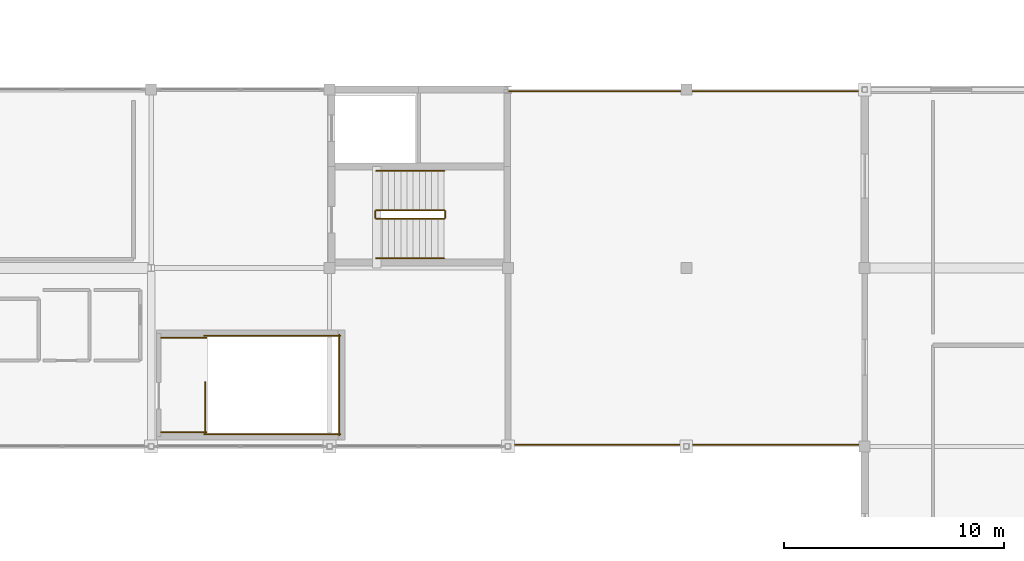
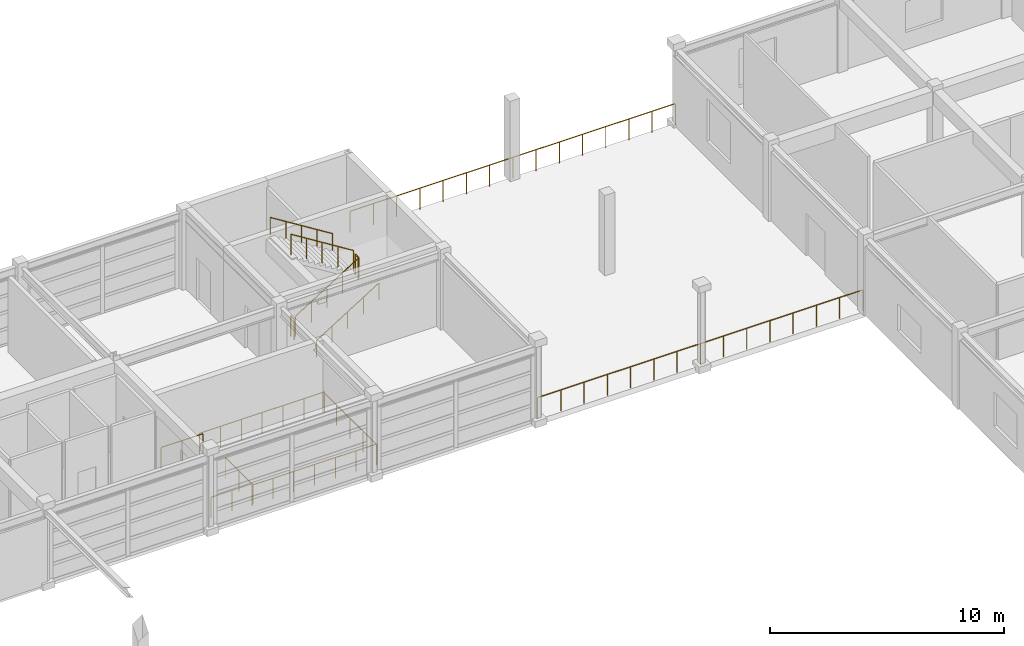
# One storey, part 53 of 54: 14 railings.
"""IFC4 building model written with IfcOpenShell, lengths in metres."""

from ifc_helpers import new_model, si_unit, direction, frame, origin, origin_2d, place, context, subcontext, project, spatial, circle, extrude, material, type_object, element, save


model = new_model("IFC4")

# Units and contexts
model_context = context("Model", 3, precision=1e-05, world=origin(), true_north=direction((0.0, 1.0)))
body_context = subcontext(model_context, "Body", "Model", "MODEL_VIEW")
ifc_project = project(units=[si_unit("LENGTHUNIT", "METRE"), si_unit("AREAUNIT", "SQUARE_METRE"), si_unit("VOLUMEUNIT", "CUBIC_METRE"), si_unit("PLANEANGLEUNIT", "RADIAN"), si_unit("MASSUNIT", "GRAM", prefix="KILO")], contexts=[model_context])

# Site, building, storey
site_placement = place(None, origin())
site = spatial("IfcSite", under=ifc_project, at=site_placement, CompositionType="ELEMENT")
building_placement = place(site_placement, origin())
building = spatial("IfcBuilding", under=site, at=building_placement, Name="Parian Resonance Hall", CompositionType="ELEMENT")
storey_placement = place(building_placement, frame((0.0, 0.0, 15.0)))
storey = spatial("IfcBuildingStorey", under=building, at=storey_placement, Name="L03", CompositionType="ELEMENT", Elevation=15.0)

# Railings
ifc_material_1 = material(Name="Patinated bronze persiana louver")
railing_type_1 = type_object("IfcRailingType", Name="RAIL-BAL-1120", PredefinedType="BALUSTRADE", material=ifc_material_1)
railing_1_placement = place(storey_placement, frame((97.25, 89.02001953125, 0.0)))
element("IfcRailing", 1, at=railing_1_placement, inside=storey, type_object=railing_type_1, Name="Courtyard Roof Terrace north bronze balustrade", PredefinedType="BALUSTRADE", context=body_context, shape_type="SweptSolid", body=[
    extrude(circle(Radius=0.02392578125, at=origin_2d()), frame((0.0, 0.0, 1.09619140625), z_axis=(1.0, 0.0, 0.0), x_axis=(0.0, 1.0, 0.0)), (0.0, 0.0, 1.0), 16.070068359375),
    extrude(circle(Radius=0.02099609375, at=origin_2d()), origin(), (0.0, 0.0, 1.0), 1.072021484375),
    extrude(circle(Radius=0.02099609375, at=origin_2d()), frame((1.14794921875, 0.0, 0.0)), (0.0, 0.0, 1.0), 1.072021484375),
    extrude(circle(Radius=0.02099609375, at=origin_2d()), frame((2.295654296875, 0.0, 0.0)), (0.0, 0.0, 1.0), 1.072021484375),
    extrude(circle(Radius=0.02099609375, at=origin_2d()), frame((3.443603515625, 0.0, 0.0)), (0.0, 0.0, 1.0), 1.072021484375),
    extrude(circle(Radius=0.02099609375, at=origin_2d()), frame((4.591552734375, 0.0, 0.0)), (0.0, 0.0, 1.0), 1.072021484375),
    extrude(circle(Radius=0.02099609375, at=origin_2d()), frame((5.7392578125, 0.0, 0.0)), (0.0, 0.0, 1.0), 1.072021484375),
    extrude(circle(Radius=0.02099609375, at=origin_2d()), frame((6.88720703125, 0.0, 0.0)), (0.0, 0.0, 1.0), 1.072021484375),
    extrude(circle(Radius=0.02099609375, at=origin_2d()), frame((8.03515625, 0.0, 0.0)), (0.0, 0.0, 1.0), 1.072021484375),
    extrude(circle(Radius=0.02099609375, at=origin_2d()), frame((9.182861328125, 0.0, 0.0)), (0.0, 0.0, 1.0), 1.072021484375),
    extrude(circle(Radius=0.02099609375, at=origin_2d()), frame((10.330810546875, 0.0, 0.0)), (0.0, 0.0, 1.0), 1.072021484375),
    extrude(circle(Radius=0.02099609375, at=origin_2d()), frame((11.478515625, 0.0, 0.0)), (0.0, 0.0, 1.0), 1.072021484375),
    extrude(circle(Radius=0.02099609375, at=origin_2d()), frame((12.62646484375, 0.0, 0.0)), (0.0, 0.0, 1.0), 1.072021484375),
    extrude(circle(Radius=0.02099609375, at=origin_2d()), frame((13.7744140625, 0.0, 0.0)), (0.0, 0.0, 1.0), 1.072021484375),
    extrude(circle(Radius=0.02099609375, at=origin_2d()), frame((14.922119140625, 0.0, 0.0)), (0.0, 0.0, 1.0), 1.072021484375),
    extrude(circle(Radius=0.02099609375, at=origin_2d()), frame((16.070068359375, 0.0, 0.0)), (0.0, 0.0, 1.0), 1.072021484375),
])
railing_2_placement = place(storey_placement, frame((97.25, 72.97998046875, 0.0)))
element("IfcRailing", 2, at=railing_2_placement, inside=storey, type_object=railing_type_1, Name="Courtyard Roof Terrace court-edge bronze balustrade", PredefinedType="BALUSTRADE", context=body_context, shape_type="SweptSolid", body=[
    extrude(circle(Radius=0.02392578125, at=origin_2d()), frame((0.0, 0.0, 1.09619140625), z_axis=(1.0, 0.0, 0.0), x_axis=(0.0, 1.0, 0.0)), (0.0, 0.0, 1.0), 16.070068359375),
    extrude(circle(Radius=0.02099609375, at=origin_2d()), origin(), (0.0, 0.0, 1.0), 1.072021484375),
    extrude(circle(Radius=0.02099609375, at=origin_2d()), frame((1.14794921875, 0.0, 0.0)), (0.0, 0.0, 1.0), 1.072021484375),
    extrude(circle(Radius=0.02099609375, at=origin_2d()), frame((2.295654296875, 0.0, 0.0)), (0.0, 0.0, 1.0), 1.072021484375),
    extrude(circle(Radius=0.02099609375, at=origin_2d()), frame((3.443603515625, 0.0, 0.0)), (0.0, 0.0, 1.0), 1.072021484375),
    extrude(circle(Radius=0.02099609375, at=origin_2d()), frame((4.591552734375, 0.0, 0.0)), (0.0, 0.0, 1.0), 1.072021484375),
    extrude(circle(Radius=0.02099609375, at=origin_2d()), frame((5.7392578125, 0.0, 0.0)), (0.0, 0.0, 1.0), 1.072021484375),
    extrude(circle(Radius=0.02099609375, at=origin_2d()), frame((6.88720703125, 0.0, 0.0)), (0.0, 0.0, 1.0), 1.072021484375),
    extrude(circle(Radius=0.02099609375, at=origin_2d()), frame((8.03515625, 0.0, 0.0)), (0.0, 0.0, 1.0), 1.072021484375),
    extrude(circle(Radius=0.02099609375, at=origin_2d()), frame((9.182861328125, 0.0, 0.0)), (0.0, 0.0, 1.0), 1.072021484375),
    extrude(circle(Radius=0.02099609375, at=origin_2d()), frame((10.330810546875, 0.0, 0.0)), (0.0, 0.0, 1.0), 1.072021484375),
    extrude(circle(Radius=0.02099609375, at=origin_2d()), frame((11.478515625, 0.0, 0.0)), (0.0, 0.0, 1.0), 1.072021484375),
    extrude(circle(Radius=0.02099609375, at=origin_2d()), frame((12.62646484375, 0.0, 0.0)), (0.0, 0.0, 1.0), 1.072021484375),
    extrude(circle(Radius=0.02099609375, at=origin_2d()), frame((13.7744140625, 0.0, 0.0)), (0.0, 0.0, 1.0), 1.072021484375),
    extrude(circle(Radius=0.02099609375, at=origin_2d()), frame((14.922119140625, 0.0, 0.0)), (0.0, 0.0, 1.0), 1.072021484375),
    extrude(circle(Radius=0.02099609375, at=origin_2d()), frame((16.070068359375, 0.0, 0.0)), (0.0, 0.0, 1.0), 1.072021484375),
])
ifc_material_2 = material(Name="Patinated bronze whiplash metalwork")
railing_type_2 = type_object("IfcRailingType", Name="RAIL-HALL-BAL-1120", PredefinedType="BALUSTRADE", material=ifc_material_2)
railing_3_placement = place(storey_placement, frame((83.4599609375, 73.5, 0.0)))
element("IfcRailing", 3, at=railing_3_placement, inside=storey, type_object=railing_type_2, Name="L03 ST-08 top well guard 1", PredefinedType="BALUSTRADE", context=body_context, shape_type="SweptSolid", body=[
    extrude(circle(Radius=0.02392578125, at=origin_2d()), frame((0.0, 0.0, 1.076171875), z_axis=(0.0, 1.0, 0.0), x_axis=(-1.0, 0.0, 0.0)), (0.0, 0.0, 1.0), 2.320068359375),
    extrude(circle(Radius=0.02099609375, at=origin_2d()), origin(), (0.0, 0.0, 1.0), 1.052001953125),
    extrude(circle(Radius=0.02099609375, at=origin_2d()), frame((0.0, 1.16015625, 0.0)), (0.0, 0.0, 1.0), 1.052001953125),
    extrude(circle(Radius=0.02099609375, at=origin_2d()), frame((0.0, 2.320068359375, 0.0)), (0.0, 0.0, 1.0), 1.052001953125),
])
for number, where, name in (
    (4, (83.409912109375, 73.449951171875, 0.0), "L03 ST-08 top well guard 2"),
    (5, (83.409912109375, 77.929931640625, 0.0), "L03 ST-08 top well guard 3"),
):
    element("IfcRailing", number, at=place(storey_placement, frame(where)), inside=storey, type_object=railing_type_2, Name=name, PredefinedType="BALUSTRADE", context=body_context, shape_type="SweptSolid", body=[
        extrude(circle(Radius=0.02392578125, at=origin_2d()), frame((0.0, 0.0, 1.076171875), z_axis=(1.0, 0.0, 0.0), x_axis=(0.0, 1.0, 0.0)), (0.0, 0.0, 1.0), 6.18017578125),
        extrude(circle(Radius=0.02099609375, at=origin_2d()), origin(), (0.0, 0.0, 1.0), 1.052001953125),
        extrude(circle(Radius=0.02099609375, at=origin_2d()), frame((1.030029296875, 0.0, 0.0)), (0.0, 0.0, 1.0), 1.052001953125),
        extrude(circle(Radius=0.02099609375, at=origin_2d()), frame((2.06005859375, 0.0, 0.0)), (0.0, 0.0, 1.0), 1.052001953125),
        extrude(circle(Radius=0.02099609375, at=origin_2d()), frame((3.090087890625, 0.0, 0.0)), (0.0, 0.0, 1.0), 1.052001953125),
        extrude(circle(Radius=0.02099609375, at=origin_2d()), frame((4.1201171875, 0.0, 0.0)), (0.0, 0.0, 1.0), 1.052001953125),
        extrude(circle(Radius=0.02099609375, at=origin_2d()), frame((5.150146484375, 0.0, 0.0)), (0.0, 0.0, 1.0), 1.052001953125),
        extrude(circle(Radius=0.02099609375, at=origin_2d()), frame((6.18017578125, 0.0, 0.0)), (0.0, 0.0, 1.0), 1.052001953125),
    ])
railing_4_placement = place(storey_placement, frame((89.5400390625, 73.39990234375, 0.0)))
element("IfcRailing", 6, at=railing_4_placement, inside=storey, type_object=railing_type_2, Name="L03 ST-08 top well guard 4", PredefinedType="BALUSTRADE", context=body_context, shape_type="SweptSolid", body=[
    extrude(circle(Radius=0.02392578125, at=origin_2d()), frame((0.0, 0.0, 1.076171875), z_axis=(0.0, 1.0, 0.0), x_axis=(-1.0, 0.0, 0.0)), (0.0, 0.0, 1.0), 4.580078125),
    extrude(circle(Radius=0.02099609375, at=origin_2d()), origin(), (0.0, 0.0, 1.0), 1.052001953125),
    extrude(circle(Radius=0.02099609375, at=origin_2d()), frame((0.0, 1.14501953125, 0.0)), (0.0, 0.0, 1.0), 1.052001953125),
    extrude(circle(Radius=0.02099609375, at=origin_2d()), frame((0.0, 2.2900390625, 0.0)), (0.0, 0.0, 1.0), 1.052001953125),
    extrude(circle(Radius=0.02099609375, at=origin_2d()), frame((0.0, 3.43505859375, 0.0)), (0.0, 0.0, 1.0), 1.052001953125),
    extrude(circle(Radius=0.02099609375, at=origin_2d()), frame((0.0, 4.580078125, 0.0)), (0.0, 0.0, 1.0), 1.052001953125),
])
for number, where, name in (
    (7, (81.449951171875, 73.550048828125, 0.0), "L03 ST-08 top well guard 5"),
    (8, (81.449951171875, 77.830078125, 0.0), "L03 ST-08 top well guard 6"),
):
    element("IfcRailing", number, at=place(storey_placement, frame(where)), inside=storey, type_object=railing_type_2, Name=name, PredefinedType="BALUSTRADE", context=body_context, shape_type="SweptSolid", body=[
        extrude(circle(Radius=0.02392578125, at=origin_2d()), frame((0.0, 0.0, 1.076171875), z_axis=(1.0, 0.0, 0.0), x_axis=(0.0, 1.0, 0.0)), (0.0, 0.0, 1.0), 2.06005859375),
        extrude(circle(Radius=0.02099609375, at=origin_2d()), origin(), (0.0, 0.0, 1.0), 1.052001953125),
        extrude(circle(Radius=0.02099609375, at=origin_2d()), frame((1.030029296875, 0.0, 0.0)), (0.0, 0.0, 1.0), 1.052001953125),
        extrude(circle(Radius=0.02099609375, at=origin_2d()), frame((2.06005859375, 0.0, 0.0)), (0.0, 0.0, 1.0), 1.052001953125),
    ])
ifc_material_3 = material(Name="Patinated bronze whiplash metalwork")
railing_type_3 = type_object("IfcRailingType", Name="RAIL-STAIR-GRD-1100", PredefinedType="GUARDRAIL", material=ifc_material_3)
railing_5_placement = place(storey_placement, frame((91.219970703125, 83.22998046875, 0.175048828125)))
element("IfcRailing", 9, at=railing_5_placement, inside=storey, type_object=railing_type_3, Name="L03 ST-05 stair guard 1", PredefinedType="GUARDRAIL", context=body_context, shape_type="SweptSolid", body=[
    extrude(circle(Radius=0.02392578125, at=origin_2d()), frame((0.0, 0.0, 1.076171875), z_axis=(0.847998304005, 0.0, 0.529998940003), x_axis=(0.0, 1.0, 0.0)), (0.0, 0.0, 1.0), 3.632080078125),
    extrude(circle(Radius=0.02099609375, at=origin_2d()), origin(), (0.0, 0.0, 1.0), 1.052001953125),
    extrude(circle(Radius=0.02099609375, at=origin_2d()), frame((0.77001953125, 0.0, 0.481201171875)), (0.0, 0.0, 1.0), 1.052001953125),
    extrude(circle(Radius=0.02099609375, at=origin_2d()), frame((1.5400390625, 0.0, 0.96240234375)), (0.0, 0.0, 1.0), 1.052001953125),
    extrude(circle(Radius=0.02099609375, at=origin_2d()), frame((2.31005859375, 0.0, 1.44384765625)), (0.0, 0.0, 1.0), 1.052001953125),
    extrude(circle(Radius=0.02099609375, at=origin_2d()), frame((3.080078125, 0.0, 1.925048828125)), (0.0, 0.0, 1.0), 1.052001953125),
])
railing_6_placement = place(storey_placement, frame((94.35009765625, 83.280029296875, 2.10009765625)))
element("IfcRailing", 10, at=railing_6_placement, inside=storey, type_object=railing_type_3, Name="L03 ST-05 stair guard 2", PredefinedType="GUARDRAIL", context=body_context, shape_type="SweptSolid", body=[
    extrude(circle(Radius=0.02392578125, at=origin_2d()), frame((0.0, 0.0, 1.076171875), z_axis=(0.0, 1.0, 0.0), x_axis=(-1.0, 0.0, 0.0)), (0.0, 0.0, 1.0), 0.300048828125),
    extrude(circle(Radius=0.02099609375, at=origin_2d()), origin(), (0.0, 0.0, 1.0), 1.052001953125),
    extrude(circle(Radius=0.02099609375, at=origin_2d()), frame((0.0, 0.300048828125, 0.0)), (0.0, 0.0, 1.0), 1.052001953125),
])
railing_7_placement = place(storey_placement, frame((94.300048828125, 83.6298828125, 2.27490234375)))
element("IfcRailing", 11, at=railing_7_placement, inside=storey, type_object=railing_type_3, Name="L03 ST-05 stair guard 3", PredefinedType="GUARDRAIL", context=body_context, shape_type="SweptSolid", body=[
    extrude(circle(Radius=0.02392578125, at=origin_2d()), frame((0.0, 0.0, 1.076171875), z_axis=(-0.847998304005, 0.0, 0.529998940003), x_axis=(0.0, -1.0, 0.0)), (0.0, 0.0, 1.0), 3.632080078125),
    extrude(circle(Radius=0.02099609375, at=origin_2d()), origin(), (0.0, 0.0, 1.0), 1.052001953125),
    extrude(circle(Radius=0.02099609375, at=origin_2d()), frame((-0.77001953125, 0.0, 0.481201171875)), (0.0, 0.0, 1.0), 1.052001953125),
    extrude(circle(Radius=0.02099609375, at=origin_2d()), frame((-1.5400390625, 0.0, 0.96240234375)), (0.0, 0.0, 1.0), 1.052001953125),
    extrude(circle(Radius=0.02099609375, at=origin_2d()), frame((-2.31005859375, 0.0, 1.44384765625)), (0.0, 0.0, 1.0), 1.052001953125),
    extrude(circle(Radius=0.02099609375, at=origin_2d()), frame((-3.080078125, 0.0, 1.925048828125)), (0.0, 0.0, 1.0), 1.052001953125),
])
railing_8_placement = place(storey_placement, frame((91.169921875, 83.280029296875, 0.0)))
element("IfcRailing", 12, at=railing_8_placement, inside=storey, type_object=railing_type_3, Name="L03 ST-05 stair guard 4", PredefinedType="GUARDRAIL", context=body_context, shape_type="SweptSolid", body=[
    extrude(circle(Radius=0.02392578125, at=origin_2d()), frame((0.0, 0.0, 1.076171875), z_axis=(0.0, 1.0, 0.0), x_axis=(-1.0, 0.0, 0.0)), (0.0, 0.0, 1.0), 0.300048828125),
    extrude(circle(Radius=0.02099609375, at=origin_2d()), origin(), (0.0, 0.0, 1.0), 1.052001953125),
    extrude(circle(Radius=0.02099609375, at=origin_2d()), frame((0.0, 0.300048828125, 0.0)), (0.0, 0.0, 1.0), 1.052001953125),
])
ifc_material_4 = material(Name="Patinated bronze whiplash metalwork")
railing_type_4 = type_object("IfcRailingType", Name="RAIL-STAIR-HR-900", PredefinedType="HANDRAIL", material=ifc_material_4)
railing_9_placement = place(storey_placement, frame((91.219970703125, 81.449951171875, 0.175048828125)))
element("IfcRailing", 13, at=railing_9_placement, inside=storey, type_object=railing_type_4, Name="L03 ST-05 stair handrail 1", PredefinedType="HANDRAIL", context=body_context, shape_type="SweptSolid", body=[
    extrude(circle(Radius=0.02392578125, at=origin_2d()), frame((0.0, 0.0, 0.8759765625), z_axis=(0.847998304005, 0.0, 0.529998940003), x_axis=(0.0, 1.0, 0.0)), (0.0, 0.0, 1.0), 3.632080078125),
    extrude(circle(Radius=0.02099609375, at=origin_2d()), origin(), (0.0, 0.0, 1.0), 0.851806640625),
    extrude(circle(Radius=0.02099609375, at=origin_2d()), frame((0.77001953125, 0.0, 0.481201171875)), (0.0, 0.0, 1.0), 0.851806640625),
    extrude(circle(Radius=0.02099609375, at=origin_2d()), frame((1.5400390625, 0.0, 0.96240234375)), (0.0, 0.0, 1.0), 0.851806640625),
    extrude(circle(Radius=0.02099609375, at=origin_2d()), frame((2.31005859375, 0.0, 1.44384765625)), (0.0, 0.0, 1.0), 0.851806640625),
    extrude(circle(Radius=0.02099609375, at=origin_2d()), frame((3.080078125, 0.0, 1.925048828125)), (0.0, 0.0, 1.0), 0.851806640625),
])
railing_10_placement = place(storey_placement, frame((94.300048828125, 85.409912109375, 2.27490234375)))
element("IfcRailing", 14, at=railing_10_placement, inside=storey, type_object=railing_type_4, Name="L03 ST-05 stair handrail 2", PredefinedType="HANDRAIL", context=body_context, shape_type="SweptSolid", body=[
    extrude(circle(Radius=0.02392578125, at=origin_2d()), frame((0.0, 0.0, 0.8759765625), z_axis=(-0.847998304005, 0.0, 0.529998940003), x_axis=(0.0, -1.0, 0.0)), (0.0, 0.0, 1.0), 3.632080078125),
    extrude(circle(Radius=0.02099609375, at=origin_2d()), origin(), (0.0, 0.0, 1.0), 0.851806640625),
    extrude(circle(Radius=0.02099609375, at=origin_2d()), frame((-0.77001953125, 0.0, 0.481201171875)), (0.0, 0.0, 1.0), 0.851806640625),
    extrude(circle(Radius=0.02099609375, at=origin_2d()), frame((-1.5400390625, 0.0, 0.96240234375)), (0.0, 0.0, 1.0), 0.851806640625),
    extrude(circle(Radius=0.02099609375, at=origin_2d()), frame((-2.31005859375, 0.0, 1.44384765625)), (0.0, 0.0, 1.0), 0.851806640625),
    extrude(circle(Radius=0.02099609375, at=origin_2d()), frame((-3.080078125, 0.0, 1.925048828125)), (0.0, 0.0, 1.0), 0.851806640625),
])

save(model, "model.ifc")
